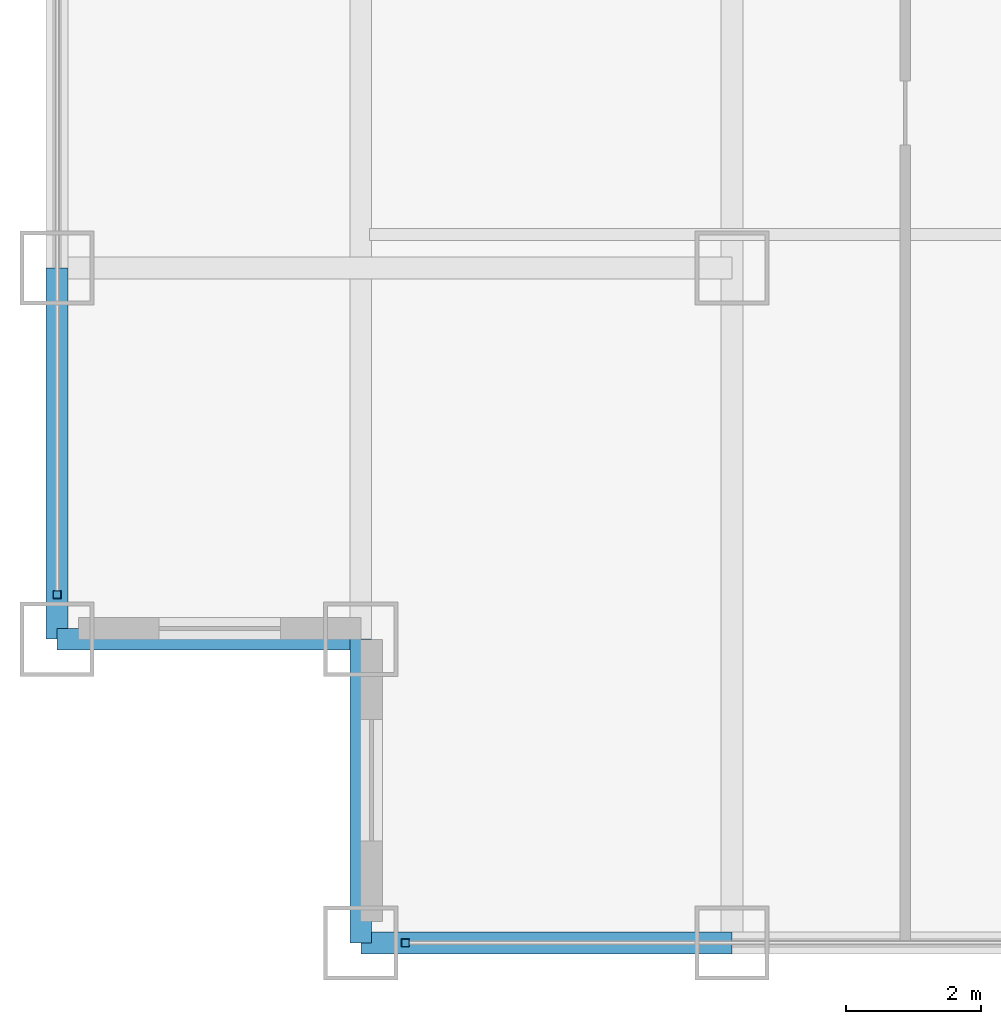
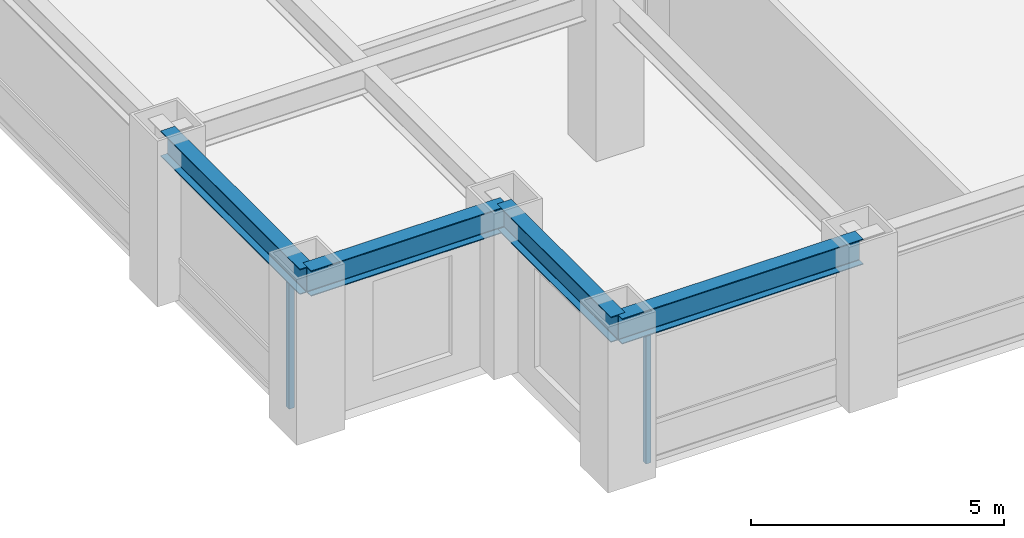
# One storey, part 2 of 24: 4 beams, 2 members, 2 elements without a shape of their own.
"""IFC4 building model written with IfcOpenShell, lengths in metres."""

from ifc_helpers import new_model, si_unit, direction, frame, origin, origin_2d, place, context, subcontext, project, spatial, hollow_rectangle, i_section, extrude, source, transform, mapped, material, material_profile, profile_set, type_object, element, aggregate, save


model = new_model("IFC4")

# Units and contexts
model_context = context("Model", 3, precision=1e-05, world=origin(), true_north=direction((0.0, 1.0)))
body_context = subcontext(model_context, "Body", "Model", "MODEL_VIEW")
ifc_project = project(units=[si_unit("LENGTHUNIT", "METRE"), si_unit("AREAUNIT", "SQUARE_METRE"), si_unit("VOLUMEUNIT", "CUBIC_METRE"), si_unit("PLANEANGLEUNIT", "RADIAN"), si_unit("MASSUNIT", "GRAM", prefix="KILO")], contexts=[model_context])

# Site, building, storey
site_placement = place(None, origin())
site = spatial("IfcSite", under=ifc_project, at=site_placement, CompositionType="ELEMENT")
building_placement = place(site_placement, origin())
building = spatial("IfcBuilding", under=site, at=building_placement, Name="Khorayat Bourse Tower", CompositionType="ELEMENT")
storey_placement = place(building_placement, frame((0.0, 0.0, 203.10009765625)))
storey = spatial("IfcBuildingStorey", under=building, at=storey_placement, Name="L47", CompositionType="ELEMENT", Elevation=203.10009765625)

# Beams
ifc_material_1 = material(Name="Steel ASTM A992 Grade 50", Category="steel")
ifc_material_profile_1 = material_profile(ifc_material_1, i_section(OverallWidth=0.324951171875, OverallDepth=0.615966796875, WebThickness=0.013916015625, FlangeThickness=0.021484375, FilletRadius=0.01611328125, at=origin_2d()), Name="W610X174")
ifc_profile_set_1 = profile_set([ifc_material_profile_1], Name="Steel ASTM A992 Grade 50")
beam_type = type_object("IfcBeamType", Name="BM-SPAN-610", PredefinedType="SPANDREL", material=ifc_profile_set_1)
shared_shape_1 = source(origin(), body_context, "Body", "SweptSolid", [
    extrude(i_section(OverallWidth=0.324951171875, OverallDepth=0.615966796875, WebThickness=0.013916015625, FlangeThickness=0.021484375, FilletRadius=0.01611328125, at=origin_2d()), origin(), (0.0, 0.0, 1.0), 5.5),
])
for number, where, z_axis, x_axis, name in (
    (1, (-25.5, -30.0, 3.471923828125), (1.0, 0.0, 0.0), (0.0, 1.0, 0.0), "L47 BM-SPAN-610 BM-L47-SPN-024"),
    (2, (-30.0, -25.5, 3.471923828125), (0.0, 1.0, 0.0), (-1.0, 0.0, 0.0), "L47 BM-SPAN-610 BM-L47-SPN-061"),
):
    element("IfcBeam", number, at=place(storey_placement, frame(where, z_axis=z_axis, x_axis=x_axis)), inside=storey, type_object=beam_type, Name=name, PredefinedType="SPANDREL", context=body_context, shape_type="MappedRepresentation", body=[
        mapped(shared_shape_1, transform((0.0, 0.0, 0.0), scale=1.0)),
    ])
shared_shape_2 = source(origin(), body_context, "Body", "SweptSolid", [
    extrude(i_section(OverallWidth=0.324951171875, OverallDepth=0.615966796875, WebThickness=0.013916015625, FlangeThickness=0.021484375, FilletRadius=0.01611328125, at=origin_2d()), origin(), (0.0, 0.0, 1.0), 4.5),
])
for number, where, z_axis, x_axis, name in (
    (3, (-30.0, -25.5, 3.471923828125), (1.0, 0.0, 0.0), (0.0, 1.0, 0.0), "L47 BM-SPAN-610 BM-L47-SPN-062"),
    (4, (-25.5, -30.0, 3.471923828125), (0.0, 1.0, 0.0), (-1.0, 0.0, 0.0), "L47 BM-SPAN-610 BM-L47-SPN-063"),
):
    element("IfcBeam", number, at=place(storey_placement, frame(where, z_axis=z_axis, x_axis=x_axis)), inside=storey, type_object=beam_type, Name=name, PredefinedType="SPANDREL", context=body_context, shape_type="MappedRepresentation", body=[
        mapped(shared_shape_2, transform((0.0, 0.0, 0.0), scale=1.0)),
    ])

# Curtain wall, member
ifc_material_2 = material(Name="Aluminium EN AW-6063 T6", Category="aluminium")
curtain_wall_type = type_object("IfcCurtainWallType", Name="CW-SYS-03", PredefinedType="NOTDEFINED", material=ifc_material_2)
curtain_wall_1_placement = place(storey_placement, origin())
curtain_wall_1 = element("IfcCurtainWall", 5, at=curtain_wall_1_placement, inside=storey, type_object=curtain_wall_type, Name="L47 Curtain Wall CW-L47-S1", PredefinedType="NOTDEFINED")
ifc_material_profile_2 = material_profile(ifc_material_2, hollow_rectangle(XDim=0.1201171875, YDim=0.1201171875, WallThickness=0.0048828125, at=origin_2d()), Name="ALU 120x120x5")
ifc_profile_set_2 = profile_set([ifc_material_profile_2], Name="Aluminium EN AW-6063 T6")
member_type = type_object("IfcMemberType", Name="CWM-VERT-120", PredefinedType="MULLION", material=ifc_profile_set_2)
shared_shape_3 = source(origin(), body_context, "Body", "SweptSolid", [
    extrude(hollow_rectangle(XDim=0.1201171875, YDim=0.1201171875, WallThickness=0.0048828125, at=origin_2d()), origin(), (0.0, 0.0, 1.0), 3.1298828125),
])
member_1_placement = place(storey_placement, frame((-24.840087890625, -30.0, 0.0), z_axis=(0.0, 0.0, 1.0), x_axis=(0.0, 1.0, 0.0)))
member_1 = element("IfcMember", 6, at=member_1_placement, type_object=member_type, Name="CW-L47-S1 Vertical Mullion 1", PredefinedType="MULLION", context=body_context, shape_type="MappedRepresentation", body=[
    mapped(shared_shape_3, transform((0.0, 0.0, 0.0), scale=1.0)),
])
aggregate(curtain_wall_1, [member_1])

curtain_wall_2_placement = place(storey_placement, origin())
curtain_wall_2 = element("IfcCurtainWall", 7, at=curtain_wall_2_placement, inside=storey, type_object=curtain_wall_type, Name="L47 Curtain Wall CW-L47-W1", PredefinedType="NOTDEFINED")
member_2_placement = place(storey_placement, frame((-30.0, -24.840087890625, 0.0), z_axis=(0.0, 0.0, 1.0), x_axis=(-1.0, 0.0, 0.0)))
member_2 = element("IfcMember", 8, at=member_2_placement, type_object=member_type, Name="CW-L47-W1 Vertical Mullion 1", PredefinedType="MULLION", context=body_context, shape_type="MappedRepresentation", body=[
    mapped(shared_shape_3, transform((0.0, 0.0, 0.0), scale=1.0)),
])
aggregate(curtain_wall_2, [member_2])

save(model, "model.ifc")
